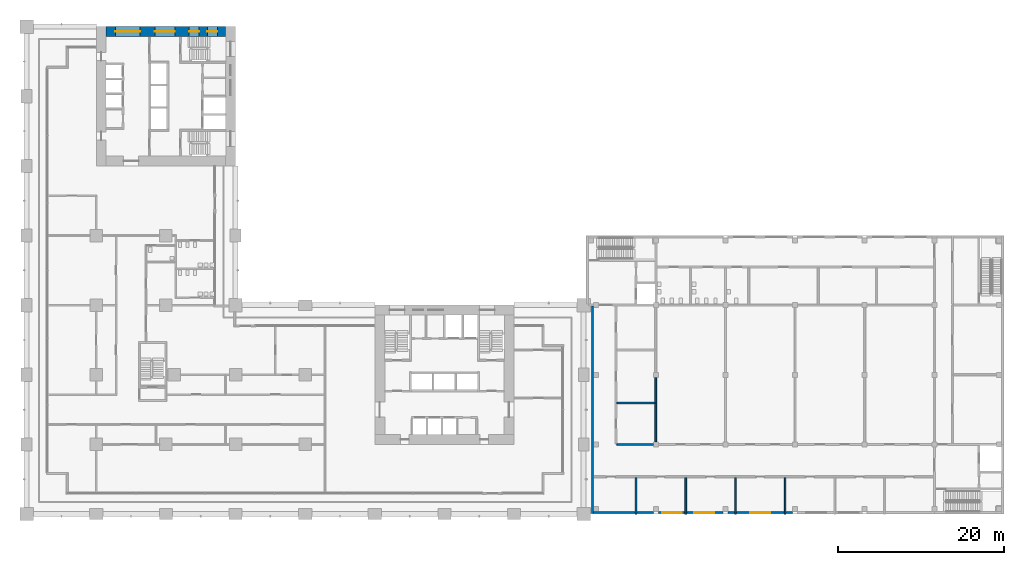
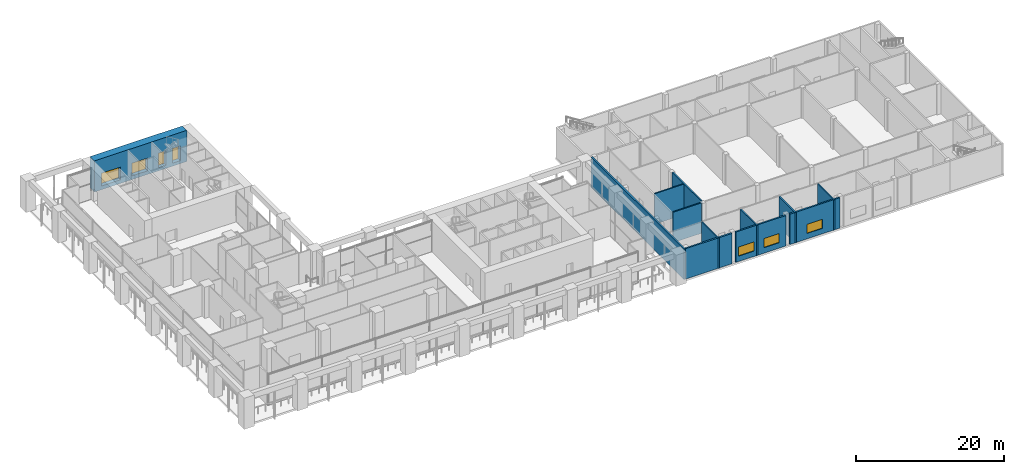
# One storey, part 18 of 32: 12 walls, 7 windows, 7 openings.
"""IFC4 building model written with IfcOpenShell, lengths in metres."""

from ifc_helpers import new_model, si_unit, direction, frame, frame_2d, origin, place, context, subcontext, project, spatial, rectangle, extrude, material, layer, layer_set, type_object, element, fill, save


model = new_model("IFC4")

# Units and contexts
model_context = context("Model", 3, precision=1e-05, world=origin(), true_north=direction((0.0, 1.0)))
body_context = subcontext(model_context, "Body", "Model", "MODEL_VIEW")
ifc_project = project(units=[si_unit("LENGTHUNIT", "METRE"), si_unit("AREAUNIT", "SQUARE_METRE"), si_unit("VOLUMEUNIT", "CUBIC_METRE"), si_unit("PLANEANGLEUNIT", "RADIAN"), si_unit("MASSUNIT", "GRAM", prefix="KILO")], contexts=[model_context])

# Site, building, storey
site_placement = place(None, origin())
site = spatial("IfcSite", under=ifc_project, at=site_placement, CompositionType="ELEMENT")
building_placement = place(site_placement, origin())
building = spatial("IfcBuilding", under=site, at=building_placement, Name="Vermilion Gate Residences", CompositionType="ELEMENT")
storey_placement = place(building_placement, frame((0.0, 0.0, 19.800048828125)))
storey = spatial("IfcBuildingStorey", under=building, at=storey_placement, Name="L03", CompositionType="ELEMENT", Elevation=19.800048828125)

# Wall
ifc_material_1 = material(Name="Insulated masonry", Category="masonry")
ifc_layer_1 = layer(ifc_material_1, 0.25)
ifc_layer_set_1 = layer_set([ifc_layer_1], Name="EXTERNAL WALL 250 MASONRY (MARKET HALL)")
wall_type_1 = type_object("IfcWallType", Name="EXTERNAL WALL 250 MASONRY (MARKET HALL)", PredefinedType="SOLIDWALL", material=ifc_layer_set_1)
wall_1_placement = place(storey_placement, frame((68.39990234375, 0.175048828125, 0.0), z_axis=(0.0, 0.0, 1.0), x_axis=(1.0, 0.0, 0.0)))
element("IfcWall", 1, at=wall_1_placement, inside=storey, type_object=wall_type_1, Name="External wall L03-1", PredefinedType="SOLIDWALL", context=body_context, shape_type="SweptSolid", body=[
    extrude(rectangle(XDim=7.2001953125, YDim=0.25, at=frame_2d((3.60009765625, 0.0))), origin(), (0.0, 0.0, 1.0), 5.0),
])

# Wall, openings, windows
wall_2_placement = place(storey_placement, frame((76.199951171875, 0.175048828125, 0.0), z_axis=(0.0, 0.0, 1.0), x_axis=(1.0, 0.0, 0.0)))
wall_2 = element("IfcWall", 2, at=wall_2_placement, inside=storey, type_object=wall_type_1, Name="External wall L03-2", PredefinedType="SOLIDWALL", context=body_context, shape_type="SweptSolid", body=[
    extrude(rectangle(XDim=7.800048828125, YDim=0.25, at=frame_2d((3.89990234375, 0.0))), origin(), (0.0, 0.0, 1.0), 5.0),
])
opening_1_placement = place(wall_2_placement, frame((0.449951171875, 0.0, 0.89990234375)))
opening_1 = element("IfcOpeningElement", 3, at=opening_1_placement, cuts=wall_2, Name="Opening WH03001", PredefinedType="OPENING", context=body_context, shape_type="SweptSolid", body=[
    extrude(rectangle(XDim=2.39990234375, YDim=1.5, at=frame_2d((1.199951171875, 0.75))), frame((0.0, 0.135009765625, 0.0), z_axis=(0.0, -1.0, 0.0), x_axis=(1.0, 0.0, 0.0)), (0.0, 0.0, 1.0), 0.27001953125),
])
opening_2_placement = place(wall_2_placement, frame((4.35009765625, 0.0, 0.89990234375)))
opening_2 = element("IfcOpeningElement", 4, at=opening_2_placement, cuts=wall_2, Name="Opening WH03002", PredefinedType="OPENING", context=body_context, shape_type="SweptSolid", body=[
    extrude(rectangle(XDim=2.39990234375, YDim=1.5, at=frame_2d((1.199951171875, 0.75))), frame((0.0, 0.135009765625, 0.0), z_axis=(0.0, -1.0, 0.0), x_axis=(1.0, 0.0, 0.0)), (0.0, 0.0, 1.0), 0.27001953125),
])
ifc_material_2 = material(Name="Aluminium and glass", Category="aluminium")
window_type_1 = type_object("IfcWindowType", Name="WINDOW 2400 X 1500 (MARKET HALL)", PartitioningType="DOUBLE_PANEL_VERTICAL", PredefinedType="WINDOW", material=ifc_material_2)
window_1_placement = place(opening_1_placement, origin())
window_1 = element("IfcWindow", 5, at=window_1_placement, inside=storey, type_object=window_type_1, Name="Window WH03001", OverallHeight=1.5, OverallWidth=2.39990234375, PartitioningType="DOUBLE_PANEL_VERTICAL", PredefinedType="WINDOW", context=body_context, shape_type="SweptSolid", body=[
    extrude(rectangle(XDim=2.39990234375, YDim=1.5, at=frame_2d((1.199951171875, 0.75))), frame((0.0, 0.030029296875, 0.0), z_axis=(0.0, -1.0, 0.0), x_axis=(1.0, 0.0, 0.0)), (0.0, 0.0, 1.0), 0.06005859375),
])
fill(opening_1, window_1)
window_2_placement = place(opening_2_placement, origin())
window_2 = element("IfcWindow", 6, at=window_2_placement, inside=storey, type_object=window_type_1, Name="Window WH03002", OverallHeight=1.5, OverallWidth=2.39990234375, PartitioningType="DOUBLE_PANEL_VERTICAL", PredefinedType="WINDOW", context=body_context, shape_type="SweptSolid", body=[
    extrude(rectangle(XDim=2.39990234375, YDim=1.5, at=frame_2d((1.199951171875, 0.75))), frame((0.0, 0.030029296875, 0.0), z_axis=(0.0, -1.0, 0.0), x_axis=(1.0, 0.0, 0.0)), (0.0, 0.0, 1.0), 0.06005859375),
])
fill(opening_2, window_2)

# Wall, opening, window
wall_3_placement = place(storey_placement, frame((84.60009765625, 0.175048828125, 0.0), z_axis=(0.0, 0.0, 1.0), x_axis=(1.0, 0.0, 0.0)))
wall_3 = element("IfcWall", 7, at=wall_3_placement, inside=storey, type_object=wall_type_1, Name="External wall L03-3", PredefinedType="SOLIDWALL", context=body_context, shape_type="SweptSolid", body=[
    extrude(rectangle(XDim=7.7998046875, YDim=0.25, at=frame_2d((3.89990234375, 0.0))), origin(), (0.0, 0.0, 1.0), 5.0),
])
opening_3_placement = place(wall_3_placement, frame((2.699951171875, 0.0, 0.89990234375)))
opening_3 = element("IfcOpeningElement", 8, at=opening_3_placement, cuts=wall_3, Name="Opening WH03003", PredefinedType="OPENING", context=body_context, shape_type="SweptSolid", body=[
    extrude(rectangle(XDim=2.39990234375, YDim=1.5, at=frame_2d((1.199951171875, 0.75))), frame((0.0, 0.135009765625, 0.0), z_axis=(0.0, -1.0, 0.0), x_axis=(1.0, 0.0, 0.0)), (0.0, 0.0, 1.0), 0.27001953125),
])
window_3_placement = place(opening_3_placement, origin())
window_3 = element("IfcWindow", 9, at=window_3_placement, inside=storey, type_object=window_type_1, Name="Window WH03003", OverallHeight=1.5, OverallWidth=2.39990234375, PartitioningType="DOUBLE_PANEL_VERTICAL", PredefinedType="WINDOW", context=body_context, shape_type="SweptSolid", body=[
    extrude(rectangle(XDim=2.39990234375, YDim=1.5, at=frame_2d((1.199951171875, 0.75))), frame((0.0, 0.030029296875, 0.0), z_axis=(0.0, -1.0, 0.0), x_axis=(1.0, 0.0, 0.0)), (0.0, 0.0, 1.0), 0.06005859375),
])
fill(opening_3, window_3)

# Walls
wall_4_placement = place(storey_placement, frame((68.27490234375, 0.050048828125, 0.0), z_axis=(0.0, 0.0, 1.0), x_axis=(0.0, 1.0, 0.0)))
element("IfcWall", 10, at=wall_4_placement, inside=storey, type_object=wall_type_1, Name="External wall L03-37", PredefinedType="SOLIDWALL", context=body_context, shape_type="SweptSolid", body=[
    extrude(rectangle(XDim=25.02490234375, YDim=0.25, at=frame_2d((12.512451171875, 0.0))), origin(), (0.0, 0.0, 1.0), 5.0),
])
ifc_material_3 = material(Name="Masonry", Category="masonry")
ifc_layer_2 = layer(ifc_material_3, 0.199951171875)
ifc_layer_set_2 = layer_set([ifc_layer_2], Name="PARTITION 200 MASONRY EI 60 (MARKET HALL)")
wall_type_2 = type_object("IfcWallType", Name="PARTITION 200 MASONRY EI 60 (MARKET HALL)", PredefinedType="PARTITIONING", material=ifc_layer_set_2)
wall_5_placement = place(storey_placement, frame((71.199951171875, 8.39990234375, 0.0), z_axis=(0.0, 0.0, 1.0), x_axis=(1.0, 0.0, 0.0)))
element("IfcWall", 11, at=wall_5_placement, inside=storey, type_object=wall_type_2, Name="Partition wall L03-10", PredefinedType="PARTITIONING", context=body_context, shape_type="SweptSolid", body=[
    extrude(rectangle(XDim=4.400146484375, YDim=0.199951171875, at=frame_2d((2.2001953125, 0.0))), origin(), (0.0, 0.0, 1.0), 5.0),
])
wall_6_placement = place(storey_placement, frame((71.199951171875, 13.39990234375, 0.0), z_axis=(0.0, 0.0, 1.0), x_axis=(1.0, 0.0, 0.0)))
element("IfcWall", 12, at=wall_6_placement, inside=storey, type_object=wall_type_2, Name="Partition wall L03-16", PredefinedType="PARTITIONING", context=body_context, shape_type="SweptSolid", body=[
    extrude(rectangle(XDim=4.60009765625, YDim=0.199951171875, at=frame_2d((2.300048828125, 0.0))), origin(), (0.0, 0.0, 1.0), 5.0),
])
wall_7_placement = place(storey_placement, frame((73.5, 0.0, 0.0), z_axis=(0.0, 0.0, 1.0), x_axis=(0.0, 1.0, 0.0)))
element("IfcWall", 13, at=wall_7_placement, inside=storey, type_object=wall_type_2, Name="Partition wall L03-39", PredefinedType="PARTITIONING", context=body_context, shape_type="SweptSolid", body=[
    extrude(rectangle(XDim=4.39990234375, YDim=0.199951171875, at=frame_2d((2.199951171875, 0.0))), origin(), (0.0, 0.0, 1.0), 5.0),
])
wall_8_placement = place(storey_placement, frame((75.89990234375, 8.699951171875, 0.0), z_axis=(0.0, 0.0, 1.0), x_axis=(0.0, 1.0, 0.0)))
element("IfcWall", 14, at=wall_8_placement, inside=storey, type_object=wall_type_2, Name="Partition wall L03-41", PredefinedType="PARTITIONING", context=body_context, shape_type="SweptSolid", body=[
    extrude(rectangle(XDim=7.800048828125, YDim=0.199951171875, at=frame_2d((3.89990234375, 0.0))), origin(), (0.0, 0.0, 1.0), 5.0),
])
for number, where, z_axis, x_axis, name in (
    (15, (79.5, 0.0, 0.0), (0.0, 0.0, 1.0), (0.0, 1.0, 0.0), "Partition wall L03-45"),
    (16, (85.5, 0.0, 0.0), (0.0, 0.0, 1.0), (0.0, 1.0, 0.0), "Partition wall L03-50"),
    (17, (91.5, 0.0, 0.0), (0.0, 0.0, 1.0), (0.0, 1.0, 0.0), "Partition wall L03-52"),
):
    element("IfcWall", number, at=place(storey_placement, frame(where, z_axis=z_axis, x_axis=x_axis)), inside=storey, type_object=wall_type_2, Name=name, PredefinedType="PARTITIONING", context=body_context, shape_type="SweptSolid", body=[
        extrude(rectangle(XDim=4.39990234375, YDim=0.199951171875, at=frame_2d((2.199951171875, 0.0))), origin(), (0.0, 0.0, 1.0), 5.0),
    ])

# Wall, openings, windows
ifc_material_4 = material(Name="Concrete C80 red-oxide pigmented", Category="concrete")
ifc_layer_3 = layer(ifc_material_4, 1.199951171875)
ifc_layer_set_3 = layer_set([ifc_layer_3], Name="RC CORE WALL 1200 C80 RED OXIDE")
wall_type_3 = type_object("IfcWallType", Name="RC CORE WALL 1200 C80 RED OXIDE", PredefinedType="SHEAR", material=ifc_layer_set_3)
wall_9_placement = place(storey_placement, frame((9.60009765625, 58.199951171875, 0.0), z_axis=(0.0, 0.0, 1.0), x_axis=(1.0, 0.0, 0.0)))
wall_9 = element("IfcWall", 18, at=wall_9_placement, inside=storey, type_object=wall_type_3, Name="Core wall B03-OUT-FR", PredefinedType="SHEAR", context=body_context, shape_type="SweptSolid", body=[
    extrude(rectangle(XDim=14.39990234375, YDim=1.199951171875, at=frame_2d((7.199951171875, 0.0))), origin(), (0.0, 0.0, 1.0), 5.119873046875),
])
opening_4_placement = place(wall_9_placement, frame((1.10498046875, 0.0, 0.60009765625)))
opening_4 = element("IfcOpeningElement", 19, at=opening_4_placement, cuts=wall_9, Name="Opening WKB0305", PredefinedType="OPENING", context=body_context, shape_type="SweptSolid", body=[
    extrude(rectangle(XDim=3.0, YDim=2.10009765625, at=frame_2d((1.5, 1.050048828125))), frame((0.0, 0.60986328125, 0.0), z_axis=(0.0, -1.0, 0.0), x_axis=(1.0, 0.0, 0.0)), (0.0, 0.0, 1.0), 1.219970703125),
])
opening_5_placement = place(wall_9_placement, frame((5.875, 0.0, 0.60009765625)))
opening_5 = element("IfcOpeningElement", 20, at=opening_5_placement, cuts=wall_9, Name="Opening WKB0306", PredefinedType="OPENING", context=body_context, shape_type="SweptSolid", body=[
    extrude(rectangle(XDim=2.39990234375, YDim=2.10009765625, at=frame_2d((1.199951171875, 1.050048828125))), frame((0.0, 0.60986328125, 0.0), z_axis=(0.0, -1.0, 0.0), x_axis=(1.0, 0.0, 0.0)), (0.0, 0.0, 1.0), 1.219970703125),
])
opening_6_placement = place(wall_9_placement, frame((9.993408203125, 0.0, 0.5)))
opening_6 = element("IfcOpeningElement", 21, at=opening_6_placement, cuts=wall_9, Name="Opening WKB0307", PredefinedType="OPENING", context=body_context, shape_type="SweptSolid", body=[
    extrude(rectangle(XDim=1.199951171875, YDim=2.39990234375, at=frame_2d((0.60009765625, 1.199951171875))), frame((0.0, 0.60986328125, 0.0), z_axis=(0.0, -1.0, 0.0), x_axis=(1.0, 0.0, 0.0)), (0.0, 0.0, 1.0), 1.219970703125),
])
opening_7_placement = place(wall_9_placement, frame((12.19677734375, 0.0, 0.5)))
opening_7 = element("IfcOpeningElement", 22, at=opening_7_placement, cuts=wall_9, Name="Opening WKB0308", PredefinedType="OPENING", context=body_context, shape_type="SweptSolid", body=[
    extrude(rectangle(XDim=1.199951171875, YDim=2.39990234375, at=frame_2d((0.60009765625, 1.199951171875))), frame((0.0, 0.60986328125, 0.0), z_axis=(0.0, -1.0, 0.0), x_axis=(1.0, 0.0, 0.0)), (0.0, 0.0, 1.0), 1.219970703125),
])
ifc_material_5 = material(Name="Aluminium and clear glass", Category="aluminium")
window_type_2 = type_object("IfcWindowType", Name="CORE LOBBY WINDOW 2400 X 2100", PartitioningType="SINGLE_PANEL", PredefinedType="WINDOW", material=ifc_material_5)
window_4_placement = place(opening_5_placement, origin())
window_4 = element("IfcWindow", 23, at=window_4_placement, inside=storey, type_object=window_type_2, Name="Core lobby window", OverallHeight=2.10009765625, OverallWidth=2.39990234375, PartitioningType="SINGLE_PANEL", PredefinedType="WINDOW", context=body_context, shape_type="SweptSolid", body=[
    extrude(rectangle(XDim=2.39990234375, YDim=2.10009765625, at=frame_2d((1.199951171875, 1.050048828125))), frame((0.0, 0.030029296875, 0.0), z_axis=(0.0, -1.0, 0.0), x_axis=(1.0, 0.0, 0.0)), (0.0, 0.0, 1.0), 0.06005859375),
])
fill(opening_5, window_4)
ifc_material_6 = material(Name="Aluminium and clear glass", Category="aluminium")
window_type_3 = type_object("IfcWindowType", Name="CORE LOBBY WINDOW 3000 X 2100", PartitioningType="SINGLE_PANEL", PredefinedType="WINDOW", material=ifc_material_6)
window_5_placement = place(opening_4_placement, origin())
window_5 = element("IfcWindow", 24, at=window_5_placement, inside=storey, type_object=window_type_3, Name="Core lobby window", OverallHeight=2.10009765625, OverallWidth=3.0, PartitioningType="SINGLE_PANEL", PredefinedType="WINDOW", context=body_context, shape_type="SweptSolid", body=[
    extrude(rectangle(XDim=3.0, YDim=2.10009765625, at=frame_2d((1.5, 1.050048828125))), frame((0.0, 0.030029296875, 0.0), z_axis=(0.0, -1.0, 0.0), x_axis=(1.0, 0.0, 0.0)), (0.0, 0.0, 1.0), 0.06005859375),
])
fill(opening_4, window_5)
ifc_material_7 = material(Name="Aluminium and clear glass", Category="aluminium")
window_type_4 = type_object("IfcWindowType", Name="CORE STAIR WINDOW 1200 X 2400", PartitioningType="SINGLE_PANEL", PredefinedType="WINDOW", material=ifc_material_7)
window_6_placement = place(opening_6_placement, origin())
window_6 = element("IfcWindow", 25, at=window_6_placement, inside=storey, type_object=window_type_4, Name="Core stair window", OverallHeight=2.39990234375, OverallWidth=1.199951171875, PartitioningType="SINGLE_PANEL", PredefinedType="WINDOW", context=body_context, shape_type="SweptSolid", body=[
    extrude(rectangle(XDim=1.199951171875, YDim=2.39990234375, at=frame_2d((0.60009765625, 1.199951171875))), frame((0.0, 0.030029296875, 0.0), z_axis=(0.0, -1.0, 0.0), x_axis=(1.0, 0.0, 0.0)), (0.0, 0.0, 1.0), 0.06005859375),
])
fill(opening_6, window_6)
window_7_placement = place(opening_7_placement, origin())
window_7 = element("IfcWindow", 26, at=window_7_placement, inside=storey, type_object=window_type_4, Name="Core stair window", OverallHeight=2.39990234375, OverallWidth=1.199951171875, PartitioningType="SINGLE_PANEL", PredefinedType="WINDOW", context=body_context, shape_type="SweptSolid", body=[
    extrude(rectangle(XDim=1.199951171875, YDim=2.39990234375, at=frame_2d((0.60009765625, 1.199951171875))), frame((0.0, 0.030029296875, 0.0), z_axis=(0.0, -1.0, 0.0), x_axis=(1.0, 0.0, 0.0)), (0.0, 0.0, 1.0), 0.06005859375),
])
fill(opening_7, window_7)

save(model, "model.ifc")
